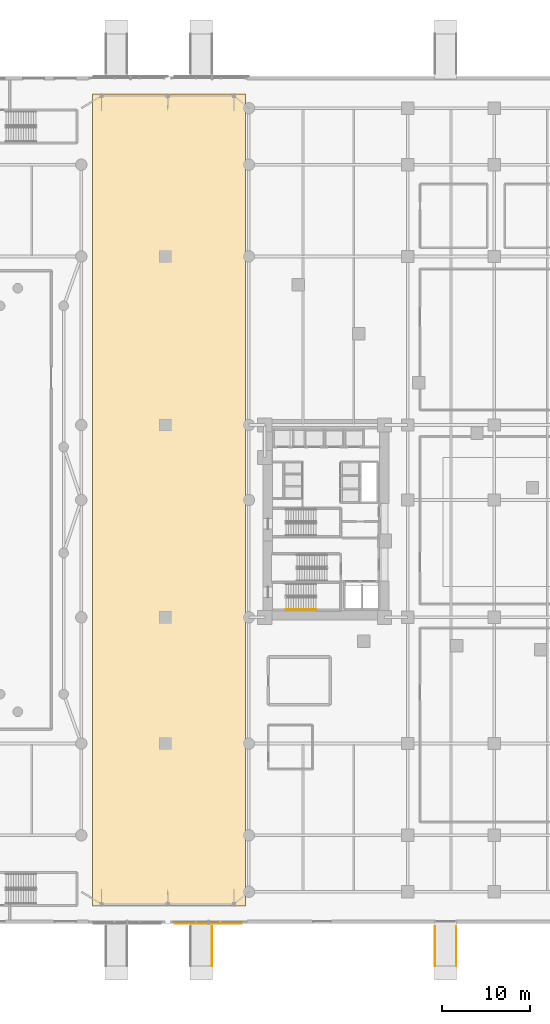
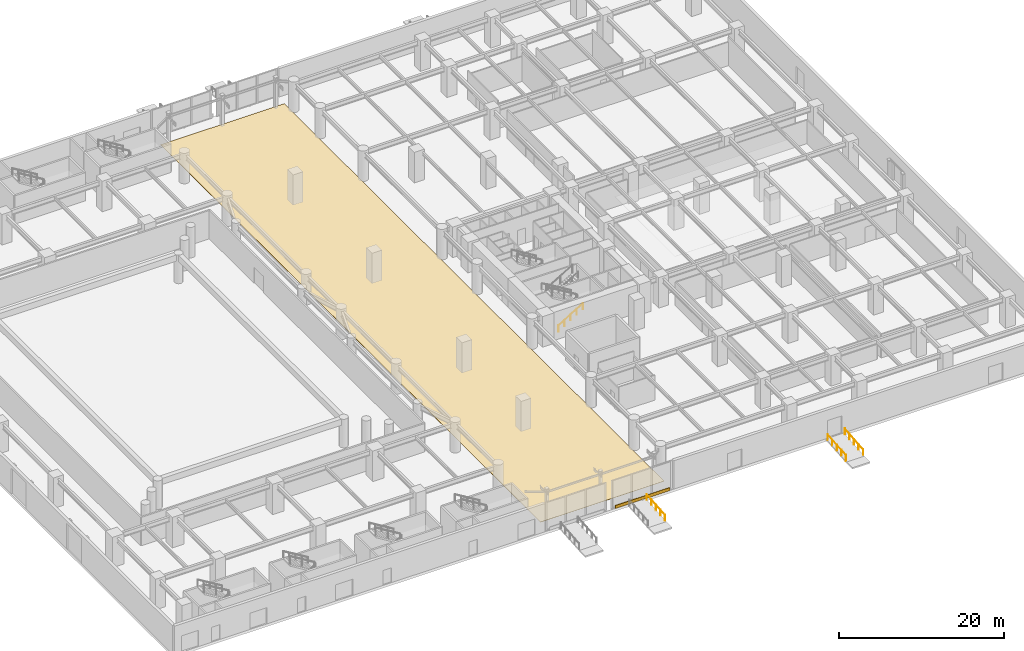
# One storey, part 36 of 42: 4 railings, 1 covering, 1 shading device.
"""IFC4 building model written with IfcOpenShell, lengths in metres."""

from ifc_helpers import new_model, si_unit, direction, frame, origin, origin_2d, place, context, subcontext, project, spatial, polyline, rectangle, circle, outline, extrude, material, layer, layer_set, type_object, element, save


model = new_model("IFC4")

# Units and contexts
model_context = context("Model", 3, precision=1e-05, world=origin(), true_north=direction((0.0, 1.0)))
body_context = subcontext(model_context, "Body", "Model", "MODEL_VIEW")
ifc_project = project(units=[si_unit("LENGTHUNIT", "METRE"), si_unit("AREAUNIT", "SQUARE_METRE"), si_unit("VOLUMEUNIT", "CUBIC_METRE"), si_unit("PLANEANGLEUNIT", "RADIAN"), si_unit("MASSUNIT", "GRAM", prefix="KILO")], contexts=[model_context])

# Site, building, storey
site_placement = place(None, origin())
site = spatial("IfcSite", under=ifc_project, at=site_placement, CompositionType="ELEMENT")
building_placement = place(site_placement, origin())
building = spatial("IfcBuilding", under=site, at=building_placement, Name="Narakoshi Arena Tower", CompositionType="ELEMENT")
storey_placement = place(building_placement, origin())
storey = spatial("IfcBuildingStorey", under=building, at=storey_placement, Name="L00", CompositionType="ELEMENT", Elevation=0.0)

# Covering
ifc_material_1 = material(Name="Honed granite stone paving", Category="masonry")
ifc_layer_1 = layer(ifc_material_1, 0.030029296875)
ifc_layer_set_1 = layer_set([ifc_layer_1], Name="Honed granite stone paving")
covering_type = type_object("IfcCoveringType", Name="COV-FLR-ST30", PredefinedType="FLOORING", material=ifc_layer_set_1)
covering_placement = place(storey_placement, origin())
element("IfcCovering", 1, at=covering_placement, inside=storey, type_object=covering_type, Name="L00 Street Concourse Honed Granite Flooring", PredefinedType="FLOORING", context=body_context, shape_type="SweptSolid", body=[
    extrude(outline(polyline([(52.5, 2.0), (69.800048828125, 2.0), (69.800048828125, 94.0), (52.5, 94.0), (52.5, 2.0)])), origin(), (0.0, 0.0, 1.0), 0.030029296875),
])

# Railings
ifc_material_2 = material(Name="Brushed bronze stainless steel", Category="steel")
railing_type = type_object("IfcRailingType", Name="RL-HND-900", PredefinedType="HANDRAIL", material=ifc_material_2)
railing_placement = place(storey_placement, frame((74.39990234375, 35.60009765625, 0.173095703125)))
element("IfcRailing", 2, at=railing_placement, inside=storey, type_object=railing_type, Name="L00 ST1 stair handrail 1", PredefinedType="HANDRAIL", context=body_context, shape_type="SweptSolid", body=[
    extrude(circle(Radius=0.02392578125, at=origin_2d()), frame((0.0, 0.0, 0.8759765625), z_axis=(0.854745945586, 0.0, 0.519046595696), x_axis=(0.0, 1.0, 0.0)), (0.0, 0.0, 1.0), 4.00146484375),
    extrude(circle(Radius=0.02099609375, at=origin_2d()), origin(), (0.0, 0.0, 1.0), 0.851806640625),
    extrude(circle(Radius=0.02099609375, at=origin_2d()), frame((0.85498046875, 0.0, 0.519287109375)), (0.0, 0.0, 1.0), 0.851806640625),
    extrude(circle(Radius=0.02099609375, at=origin_2d()), frame((1.7099609375, 0.0, 1.03857421875)), (0.0, 0.0, 1.0), 0.851806640625),
    extrude(circle(Radius=0.02099609375, at=origin_2d()), frame((2.565185546875, 0.0, 1.5576171875)), (0.0, 0.0, 1.0), 0.851806640625),
    extrude(circle(Radius=0.02099609375, at=origin_2d()), frame((3.420166015625, 0.0, 2.076904296875)), (0.0, 0.0, 1.0), 0.851806640625),
])
for number, where, name in (
    (3, (66.0, -4.800048828125, -0.39990234375), "L00 Accessible Ramp Handrail RMP-S2-R"),
    (4, (91.300048828125, -4.800048828125, -0.39990234375), "L00 Accessible Ramp Handrail RMP-S3-L"),
    (5, (93.699951171875, -4.800048828125, -0.39990234375), "L00 Accessible Ramp Handrail RMP-S3-R"),
):
    element("IfcRailing", number, at=place(storey_placement, frame(where)), inside=storey, type_object=railing_type, Name=name, PredefinedType="HANDRAIL", context=body_context, shape_type="SweptSolid", body=[
        extrude(circle(Radius=0.02392578125, at=origin_2d()), frame((0.0, 0.0, 0.8759765625), z_axis=(0.0, 0.996375960288, 0.085058484348), x_axis=(-1.0, 0.0, 0.0)), (0.0, 0.0, 1.0), 4.466064453125),
        extrude(circle(Radius=0.02099609375, at=origin_2d()), origin(), (0.0, 0.0, 1.0), 0.851806640625),
        extrude(circle(Radius=0.02099609375, at=origin_2d()), frame((0.0, 1.112548828125, 0.094970703125)), (0.0, 0.0, 1.0), 0.851806640625),
        extrude(circle(Radius=0.02099609375, at=origin_2d()), frame((0.0, 2.22509765625, 0.18994140625)), (0.0, 0.0, 1.0), 0.851806640625),
        extrude(circle(Radius=0.02099609375, at=origin_2d()), frame((0.0, 3.33740234375, 0.284912109375)), (0.0, 0.0, 1.0), 0.851806640625),
        extrude(circle(Radius=0.02099609375, at=origin_2d()), frame((0.0, 4.449951171875, 0.3798828125)), (0.0, 0.0, 1.0), 0.851806640625),
    ])

# Shading device
ifc_material_3 = material(Name="Anodised bronze aluminium 6063-T6", Category="aluminium")
ifc_layer_2 = layer(ifc_material_3, 0.080078125)
ifc_layer_set_2 = layer_set([ifc_layer_2], Name="Anodised bronze aluminium 6063-T6")
shading_device_type = type_object("IfcShadingDeviceType", Name="SHD-SUN-CONC", PredefinedType="SHUTTER", material=ifc_layer_set_2)
shading_device_placement = place(storey_placement, frame((65.60009765625, 0.010009765625, 0.0), z_axis=(0.0, 0.0, 1.0), x_axis=(1.0, 0.0, 0.0)))
element("IfcShadingDevice", 6, at=shading_device_placement, inside=storey, type_object=shading_device_type, Name="L00 Concourse Horizontal Sunshade CS2", PredefinedType="SHUTTER", context=body_context, shape_type="SweptSolid", body=[
    extrude(rectangle(XDim=7.60009765625, YDim=0.080078125, at=origin_2d()), origin(), (0.0, 0.0, 1.0), 0.449951171875),
])

save(model, "model.ifc")
